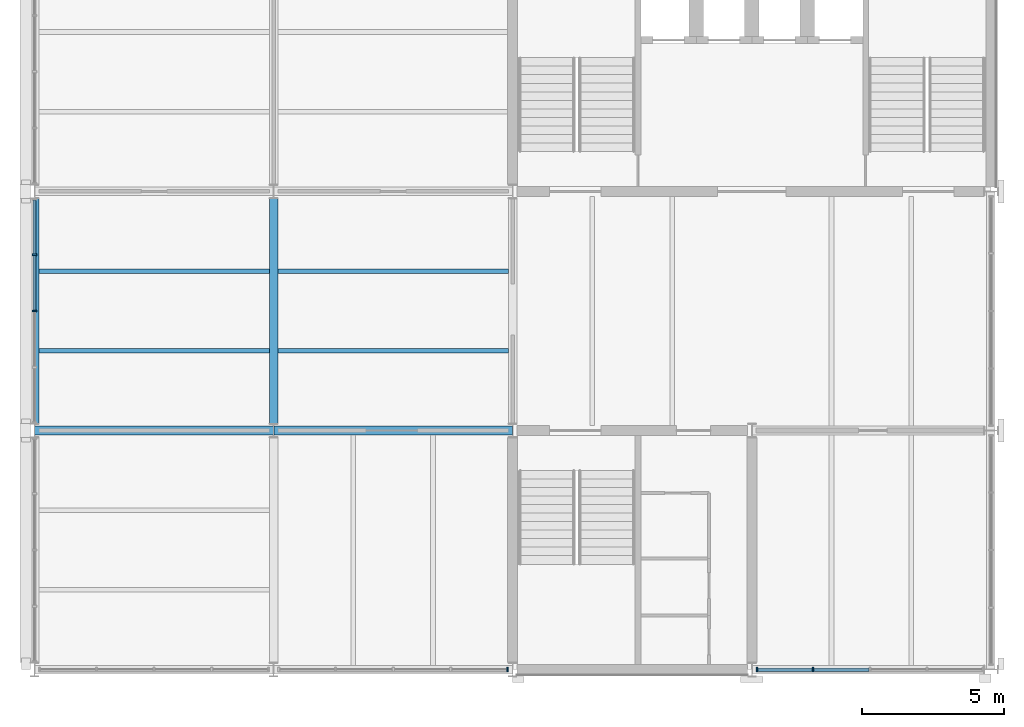
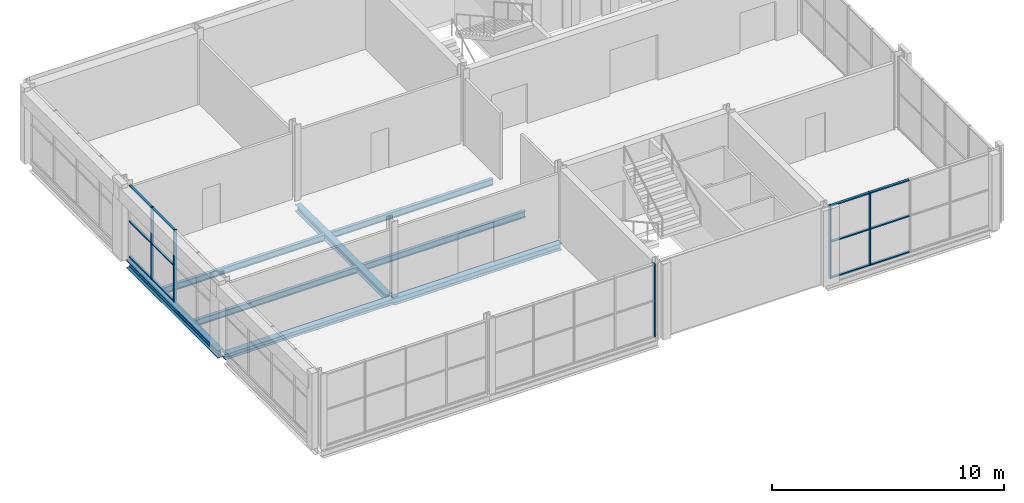
# One storey, part 3 of 12: 17 members, 8 beams, 3 elements without a shape of their own.
"""IFC4 building model written with IfcOpenShell, lengths in metres."""

from ifc_helpers import new_model, si_unit, direction, frame, origin, origin_2d, place, context, subcontext, project, spatial, rectangle, i_section, extrude, material, layer, layer_set, material_profile, profile_set, type_object, element, aggregate, save


model = new_model("IFC4")

# Units and contexts
model_context = context("Model", 3, precision=1e-05, world=origin(), true_north=direction((0.0, 1.0)))
body_context = subcontext(model_context, "Body", "Model", "MODEL_VIEW")
ifc_project = project(units=[si_unit("LENGTHUNIT", "METRE"), si_unit("AREAUNIT", "SQUARE_METRE"), si_unit("VOLUMEUNIT", "CUBIC_METRE"), si_unit("PLANEANGLEUNIT", "RADIAN"), si_unit("MASSUNIT", "GRAM", prefix="KILO")], contexts=[model_context])

# Site, building, storey
site_placement = place(None, origin())
site = spatial("IfcSite", under=ifc_project, at=site_placement, CompositionType="ELEMENT")
building_placement = place(site_placement, origin())
building = spatial("IfcBuilding", under=site, at=building_placement, Name="Galleria Vessillo Department Store", CompositionType="ELEMENT")
storey_placement = place(building_placement, frame((0.0, 0.0, 43.60009765625)))
storey = spatial("IfcBuildingStorey", under=building, at=storey_placement, Name="L09", CompositionType="ELEMENT", Elevation=43.60009765625)

# Curtain wall, members
ifc_material_1 = material(Name="Aluminium and glass curtain wall", Category="aluminium")
ifc_layer = layer(ifc_material_1, 0.159912109375)
ifc_layer_set = layer_set([ifc_layer], Name="Aluminium and glass curtain wall")
curtain_wall_type = type_object("IfcCurtainWallType", Name="Tower curtain wall CW4 2100 module", PredefinedType="NOTDEFINED", material=ifc_layer_set)
curtain_wall_1_placement = place(storey_placement, origin())
curtain_wall_1 = element("IfcCurtainWall", 1, at=curtain_wall_1_placement, inside=storey, type_object=curtain_wall_type, Name="Tower curtain wall CW4 2100 module TW-L09-02", PredefinedType="NOTDEFINED")
ifc_material_2 = material(Name="Aluminium alloy 6063 T6", Category="aluminium")
ifc_material_profile_1 = material_profile(ifc_material_2, rectangle(XDim=0.159912109375, YDim=0.06005859375, at=origin_2d()), Name="AL 60x160")
ifc_profile_set_1 = profile_set([ifc_material_profile_1], Name="Aluminium alloy 6063 T6")
member_type_1 = type_object("IfcMemberType", Name="Aluminium mullion 60 x 160", PredefinedType="MULLION", material=ifc_profile_set_1)
member_1_placement = place(storey_placement, frame((84.0, 50.39990234375, 0.0), z_axis=(0.0, 0.0, 1.0), x_axis=(-1.0, 0.0, 0.0)))
member_1 = element("IfcMember", 2, at=member_1_placement, type_object=member_type_1, Name="CW4 mullion 3", PredefinedType="MULLION", context=body_context, shape_type="SweptSolid", body=[
    extrude(rectangle(XDim=0.159912109375, YDim=0.06005859375, at=origin_2d()), origin(), (0.0, 0.0, 1.0), 3.800048828125),
])
member_2_placement = place(storey_placement, frame((84.0, 52.375, 0.0), z_axis=(0.0, 0.0, 1.0), x_axis=(-1.0, 0.0, 0.0)))
member_2 = element("IfcMember", 3, at=member_2_placement, type_object=member_type_1, Name="CW4 mullion 4", PredefinedType="MULLION", context=body_context, shape_type="SweptSolid", body=[
    extrude(rectangle(XDim=0.159912109375, YDim=0.06005859375, at=origin_2d()), origin(), (0.0, 0.0, 1.0), 3.800048828125),
])

# Curtain wall, member
curtain_wall_2_placement = place(storey_placement, origin())
curtain_wall_2 = element("IfcCurtainWall", 4, at=curtain_wall_2_placement, inside=storey, type_object=curtain_wall_type, Name="Tower curtain wall CW4 2100 module TS-L09-02", PredefinedType="NOTDEFINED")
member_3_placement = place(storey_placement, frame((100.6201171875, 37.800048828125, 0.0), z_axis=(0.0, 0.0, 1.0), x_axis=(0.0, 1.0, 0.0)))
member_3 = element("IfcMember", 5, at=member_3_placement, type_object=member_type_1, Name="CW4 mullion 5", PredefinedType="MULLION", context=body_context, shape_type="SweptSolid", body=[
    extrude(rectangle(XDim=0.159912109375, YDim=0.06005859375, at=origin_2d()), origin(), (0.0, 0.0, 1.0), 3.85009765625),
])
aggregate(curtain_wall_2, [member_3])

# Curtain wall, members
curtain_wall_3_placement = place(storey_placement, origin())
curtain_wall_3 = element("IfcCurtainWall", 6, at=curtain_wall_3_placement, inside=storey, type_object=curtain_wall_type, Name="Tower curtain wall CW4 2100 module TS-L09-03", PredefinedType="NOTDEFINED")
member_4_placement = place(storey_placement, frame((109.3798828125, 37.800048828125, 0.0), z_axis=(0.0, 0.0, 1.0), x_axis=(0.0, 1.0, 0.0)))
member_4 = element("IfcMember", 7, at=member_4_placement, type_object=member_type_1, Name="CW4 mullion 1", PredefinedType="MULLION", context=body_context, shape_type="SweptSolid", body=[
    extrude(rectangle(XDim=0.159912109375, YDim=0.06005859375, at=origin_2d()), origin(), (0.0, 0.0, 1.0), 3.85009765625),
])
member_5_placement = place(storey_placement, frame((111.349853515625, 37.800048828125, 0.0), z_axis=(0.0, 0.0, 1.0), x_axis=(0.0, 1.0, 0.0)))
member_5 = element("IfcMember", 8, at=member_5_placement, type_object=member_type_1, Name="CW4 mullion 2", PredefinedType="MULLION", context=body_context, shape_type="SweptSolid", body=[
    extrude(rectangle(XDim=0.159912109375, YDim=0.06005859375, at=origin_2d()), origin(), (0.0, 0.0, 1.0), 3.85009765625),
])

# Member
ifc_material_3 = material(Name="Aluminium alloy 6063 T6", Category="aluminium")
ifc_material_profile_2 = material_profile(ifc_material_3, rectangle(XDim=0.1201171875, YDim=0.06005859375, at=origin_2d()), Name="AL 60x120")
ifc_profile_set_2 = profile_set([ifc_material_profile_2], Name="Aluminium alloy 6063 T6")
member_type_2 = type_object("IfcMemberType", Name="Aluminium transom 60 x 120", PredefinedType="USERDEFINED", material=ifc_profile_set_2)
member_6_placement = place(storey_placement, frame((84.0, 50.429931640625, 0.030029296875), z_axis=(0.0, 1.0, 0.0), x_axis=(-1.0, 0.0, 0.0)))
member_6 = element("IfcMember", 9, at=member_6_placement, type_object=member_type_2, Name="CW4 transom 3.1", ObjectType="TRANSOM", PredefinedType="USERDEFINED", context=body_context, shape_type="SweptSolid", body=[
    extrude(rectangle(XDim=0.1201171875, YDim=0.06005859375, at=origin_2d()), origin(), (0.0, 0.0, 1.0), 1.9150390625),
])

member_7_placement = place(storey_placement, frame((84.0, 50.429931640625, 1.89990234375), z_axis=(0.0, 1.0, 0.0), x_axis=(-1.0, 0.0, 0.0)))
member_7 = element("IfcMember", 10, at=member_7_placement, type_object=member_type_2, Name="CW4 transom 3.2", ObjectType="TRANSOM", PredefinedType="USERDEFINED", context=body_context, shape_type="SweptSolid", body=[
    extrude(rectangle(XDim=0.1201171875, YDim=0.06005859375, at=origin_2d()), origin(), (0.0, 0.0, 1.0), 1.9150390625),
])

member_8_placement = place(storey_placement, frame((84.0, 50.429931640625, 3.77001953125), z_axis=(0.0, 1.0, 0.0), x_axis=(-1.0, 0.0, 0.0)))
member_8 = element("IfcMember", 11, at=member_8_placement, type_object=member_type_2, Name="CW4 transom 3.3", ObjectType="TRANSOM", PredefinedType="USERDEFINED", context=body_context, shape_type="SweptSolid", body=[
    extrude(rectangle(XDim=0.1201171875, YDim=0.06005859375, at=origin_2d()), origin(), (0.0, 0.0, 1.0), 1.9150390625),
])

member_9_placement = place(storey_placement, frame((84.0, 52.405029296875, 0.030029296875), z_axis=(0.0, 1.0, 0.0), x_axis=(-1.0, 0.0, 0.0)))
member_9 = element("IfcMember", 12, at=member_9_placement, type_object=member_type_2, Name="CW4 transom 4.1", ObjectType="TRANSOM", PredefinedType="USERDEFINED", context=body_context, shape_type="SweptSolid", body=[
    extrude(rectangle(XDim=0.1201171875, YDim=0.06005859375, at=origin_2d()), origin(), (0.0, 0.0, 1.0), 1.885009765625),
])

member_10_placement = place(storey_placement, frame((84.0, 52.405029296875, 1.89990234375), z_axis=(0.0, 1.0, 0.0), x_axis=(-1.0, 0.0, 0.0)))
member_10 = element("IfcMember", 13, at=member_10_placement, type_object=member_type_2, Name="CW4 transom 4.2", ObjectType="TRANSOM", PredefinedType="USERDEFINED", context=body_context, shape_type="SweptSolid", body=[
    extrude(rectangle(XDim=0.1201171875, YDim=0.06005859375, at=origin_2d()), origin(), (0.0, 0.0, 1.0), 1.885009765625),
])

member_11_placement = place(storey_placement, frame((84.0, 52.405029296875, 3.77001953125), z_axis=(0.0, 1.0, 0.0), x_axis=(-1.0, 0.0, 0.0)))
member_11 = element("IfcMember", 14, at=member_11_placement, type_object=member_type_2, Name="CW4 transom 4.3", ObjectType="TRANSOM", PredefinedType="USERDEFINED", context=body_context, shape_type="SweptSolid", body=[
    extrude(rectangle(XDim=0.1201171875, YDim=0.06005859375, at=origin_2d()), origin(), (0.0, 0.0, 1.0), 1.885009765625),
])

aggregate(curtain_wall_1, [member_1, member_2, member_6, member_7, member_8, member_9, member_10, member_11])

member_12_placement = place(storey_placement, frame((109.409912109375, 37.800048828125, 0.030029296875), z_axis=(1.0, 0.0, 0.0), x_axis=(0.0, 1.0, 0.0)))
member_12 = element("IfcMember", 15, at=member_12_placement, type_object=member_type_2, Name="CW4 transom 1.1", ObjectType="TRANSOM", PredefinedType="USERDEFINED", context=body_context, shape_type="SweptSolid", body=[
    extrude(rectangle(XDim=0.1201171875, YDim=0.06005859375, at=origin_2d()), origin(), (0.0, 0.0, 1.0), 1.909912109375),
])

member_13_placement = place(storey_placement, frame((109.409912109375, 37.800048828125, 1.925048828125), z_axis=(1.0, 0.0, 0.0), x_axis=(0.0, 1.0, 0.0)))
member_13 = element("IfcMember", 16, at=member_13_placement, type_object=member_type_2, Name="CW4 transom 1.2", ObjectType="TRANSOM", PredefinedType="USERDEFINED", context=body_context, shape_type="SweptSolid", body=[
    extrude(rectangle(XDim=0.1201171875, YDim=0.06005859375, at=origin_2d()), origin(), (0.0, 0.0, 1.0), 1.909912109375),
])

member_14_placement = place(storey_placement, frame((109.409912109375, 37.800048828125, 3.820068359375), z_axis=(1.0, 0.0, 0.0), x_axis=(0.0, 1.0, 0.0)))
member_14 = element("IfcMember", 17, at=member_14_placement, type_object=member_type_2, Name="CW4 transom 1.3", ObjectType="TRANSOM", PredefinedType="USERDEFINED", context=body_context, shape_type="SweptSolid", body=[
    extrude(rectangle(XDim=0.1201171875, YDim=0.06005859375, at=origin_2d()), origin(), (0.0, 0.0, 1.0), 1.909912109375),
])

member_15_placement = place(storey_placement, frame((111.3798828125, 37.800048828125, 0.030029296875), z_axis=(1.0, 0.0, 0.0), x_axis=(0.0, 1.0, 0.0)))
member_15 = element("IfcMember", 18, at=member_15_placement, type_object=member_type_2, Name="CW4 transom 2.1", ObjectType="TRANSOM", PredefinedType="USERDEFINED", context=body_context, shape_type="SweptSolid", body=[
    extrude(rectangle(XDim=0.1201171875, YDim=0.06005859375, at=origin_2d()), origin(), (0.0, 0.0, 1.0), 1.940185546875),
])

member_16_placement = place(storey_placement, frame((111.3798828125, 37.800048828125, 1.925048828125), z_axis=(1.0, 0.0, 0.0), x_axis=(0.0, 1.0, 0.0)))
member_16 = element("IfcMember", 19, at=member_16_placement, type_object=member_type_2, Name="CW4 transom 2.2", ObjectType="TRANSOM", PredefinedType="USERDEFINED", context=body_context, shape_type="SweptSolid", body=[
    extrude(rectangle(XDim=0.1201171875, YDim=0.06005859375, at=origin_2d()), origin(), (0.0, 0.0, 1.0), 1.940185546875),
])

member_17_placement = place(storey_placement, frame((111.3798828125, 37.800048828125, 3.820068359375), z_axis=(1.0, 0.0, 0.0), x_axis=(0.0, 1.0, 0.0)))
member_17 = element("IfcMember", 20, at=member_17_placement, type_object=member_type_2, Name="CW4 transom 2.3", ObjectType="TRANSOM", PredefinedType="USERDEFINED", context=body_context, shape_type="SweptSolid", body=[
    extrude(rectangle(XDim=0.1201171875, YDim=0.06005859375, at=origin_2d()), origin(), (0.0, 0.0, 1.0), 1.940185546875),
])

aggregate(curtain_wall_3, [member_4, member_5, member_12, member_13, member_14, member_15, member_16, member_17])

# Beams
ifc_material_4 = material(Name="Steel S355 J2", Category="steel")
ifc_material_profile_3 = material_profile(ifc_material_4, i_section(OverallWidth=0.300048828125, OverallDepth=0.35009765625, WebThickness=0.010009765625, FlangeThickness=0.017578125, FilletRadius=0.027099609375, at=origin_2d()), Name="HEA 360")
ifc_profile_set_3 = profile_set([ifc_material_profile_3], Name="Steel S355 J2")
beam_type_1 = type_object("IfcBeamType", Name="Floor girder HEA 360", PredefinedType="BEAM", material=ifc_profile_set_3)
beam_1_placement = place(storey_placement, frame((92.407470703125, 46.199951171875, -0.324951171875), z_axis=(1.0, 0.0, 0.0), x_axis=(0.0, 1.0, 0.0)))
element("IfcBeam", 21, at=beam_1_placement, inside=storey, type_object=beam_type_1, Name="S-BM-L09-GI-x46200-92407", PredefinedType="BEAM", context=body_context, shape_type="SweptSolid", body=[
    extrude(i_section(OverallWidth=0.300048828125, OverallDepth=0.35009765625, WebThickness=0.010009765625, FlangeThickness=0.017578125, FilletRadius=0.027099609375, at=origin_2d()), origin(), (0.0, 0.0, 1.0), 8.38525390625),
])
beam_2_placement = place(storey_placement, frame((92.39990234375, 46.4501953125, -0.324951171875), z_axis=(0.0, 1.0, 0.0), x_axis=(-1.0, 0.0, 0.0)))
element("IfcBeam", 22, at=beam_2_placement, inside=storey, type_object=beam_type_1, Name="S-BM-L09-GI-y92400-46450", PredefinedType="BEAM", context=body_context, shape_type="SweptSolid", body=[
    extrude(i_section(OverallWidth=0.300048828125, OverallDepth=0.35009765625, WebThickness=0.010009765625, FlangeThickness=0.017578125, FilletRadius=0.027099609375, at=origin_2d()), origin(), (0.0, 0.0, 1.0), 7.899658203125),
])
ifc_material_5 = material(Name="Steel S355 J2", Category="steel")
ifc_material_profile_4 = material_profile(ifc_material_5, i_section(OverallWidth=0.159912109375, OverallDepth=0.330078125, WebThickness=0.007568359375, FlangeThickness=0.011474609375, FilletRadius=0.01806640625, at=origin_2d()), Name="IPE 330")
ifc_profile_set_4 = profile_set([ifc_material_profile_4], Name="Steel S355 J2")
beam_type_2 = type_object("IfcBeamType", Name="Floor joist IPE 330", PredefinedType="JOIST", material=ifc_profile_set_4)
for number, where, z_axis, x_axis, name in (
    (23, (84.150146484375, 49.0, -0.31494140625), (1.0, 0.0, 0.0), (0.0, 1.0, 0.0), "S-BM-L09-JO-x49000-84150"),
    (24, (84.150146484375, 51.800048828125, -0.31494140625), (1.0, 0.0, 0.0), (0.0, 1.0, 0.0), "S-BM-L09-JO-x51800-84150"),
):
    element("IfcBeam", number, at=place(storey_placement, frame(where, z_axis=z_axis, x_axis=x_axis)), inside=storey, type_object=beam_type_2, Name=name, PredefinedType="JOIST", context=body_context, shape_type="SweptSolid", body=[
        extrude(i_section(OverallWidth=0.159912109375, OverallDepth=0.330078125, WebThickness=0.007568359375, FlangeThickness=0.011474609375, FilletRadius=0.01806640625, at=origin_2d()), origin(), (0.0, 0.0, 1.0), 8.099609375),
    ])
for number, where, z_axis, x_axis, name in (
    (25, (92.550048828125, 49.0, -0.31494140625), (1.0, 0.0, 0.0), (0.0, 1.0, 0.0), "S-BM-L09-JO-x49000-92550"),
    (26, (92.550048828125, 51.800048828125, -0.31494140625), (1.0, 0.0, 0.0), (0.0, 1.0, 0.0), "S-BM-L09-JO-x51800-92550"),
):
    element("IfcBeam", number, at=place(storey_placement, frame(where, z_axis=z_axis, x_axis=x_axis)), inside=storey, type_object=beam_type_2, Name=name, PredefinedType="JOIST", context=body_context, shape_type="SweptSolid", body=[
        extrude(i_section(OverallWidth=0.159912109375, OverallDepth=0.330078125, WebThickness=0.007568359375, FlangeThickness=0.011474609375, FilletRadius=0.01806640625, at=origin_2d()), origin(), (0.0, 0.0, 1.0), 8.099853515625),
    ])
ifc_material_6 = material(Name="Steel S355 J2", Category="steel")
ifc_material_profile_5 = material_profile(ifc_material_6, i_section(OverallWidth=0.300048828125, OverallDepth=0.2900390625, WebThickness=0.008544921875, FlangeThickness=0.013916015625, FilletRadius=0.027099609375, at=origin_2d()), Name="HEA 300")
ifc_profile_set_5 = profile_set([ifc_material_profile_5], Name="Steel S355 J2")
beam_type_3 = type_object("IfcBeamType", Name="Floor tie girder HEA 300", PredefinedType="BEAM", material=ifc_profile_set_5)
beam_3_placement = place(storey_placement, frame((84.00732421875, 46.199951171875, -0.294921875), z_axis=(1.0, 0.0, 0.0), x_axis=(0.0, 1.0, 0.0)))
element("IfcBeam", 27, at=beam_3_placement, inside=storey, type_object=beam_type_3, Name="S-BM-L09-TI-x46200-84007", PredefinedType="BEAM", context=body_context, shape_type="SweptSolid", body=[
    extrude(i_section(OverallWidth=0.300048828125, OverallDepth=0.2900390625, WebThickness=0.008544921875, FlangeThickness=0.013916015625, FilletRadius=0.027099609375, at=origin_2d()), origin(), (0.0, 0.0, 1.0), 8.38525390625),
])
ifc_material_7 = material(Name="Steel S355 J2", Category="steel")
ifc_material_profile_6 = material_profile(ifc_material_7, i_section(OverallWidth=0.300048828125, OverallDepth=0.389892578125, WebThickness=0.010986328125, FlangeThickness=0.01904296875, FilletRadius=0.027099609375, at=origin_2d()), Name="HEA 400")
ifc_profile_set_6 = profile_set([ifc_material_profile_6], Name="Steel S355 J2")
beam_type_4 = type_object("IfcBeamType", Name="Trimmer beam HEA 400", PredefinedType="BEAM", material=ifc_profile_set_6)
beam_4_placement = place(storey_placement, frame((84.0, 46.4501953125, -0.344970703125), z_axis=(0.0, 1.0, 0.0), x_axis=(-1.0, 0.0, 0.0)))
element("IfcBeam", 28, at=beam_4_placement, inside=storey, type_object=beam_type_4, Name="S-BM-L09-TR-y84000-46450", PredefinedType="BEAM", context=body_context, shape_type="SweptSolid", body=[
    extrude(i_section(OverallWidth=0.300048828125, OverallDepth=0.389892578125, WebThickness=0.010986328125, FlangeThickness=0.01904296875, FilletRadius=0.027099609375, at=origin_2d()), origin(), (0.0, 0.0, 1.0), 7.899658203125),
])

save(model, "model.ifc")
